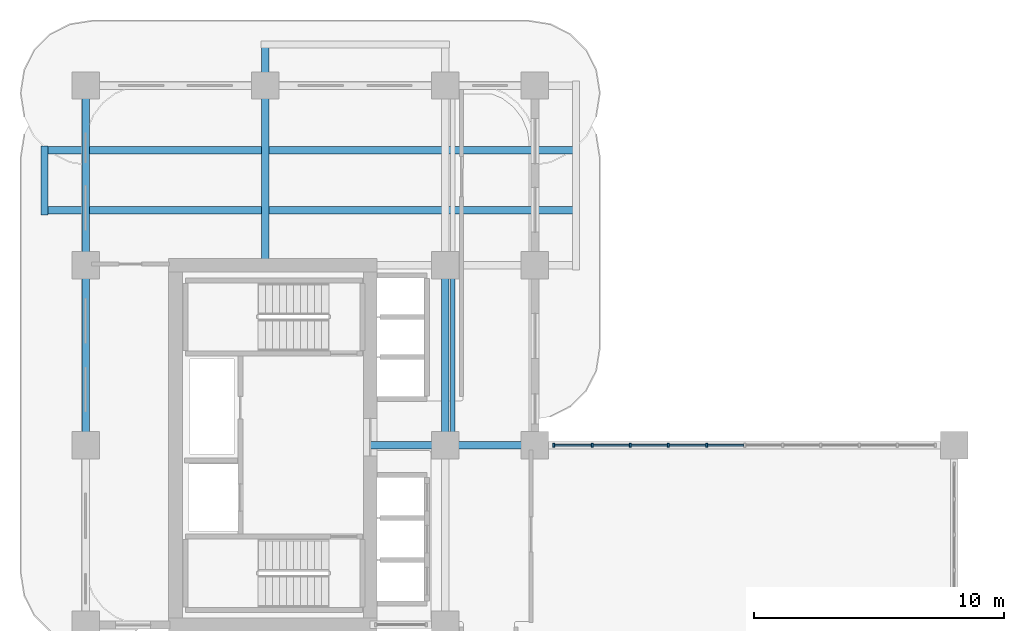
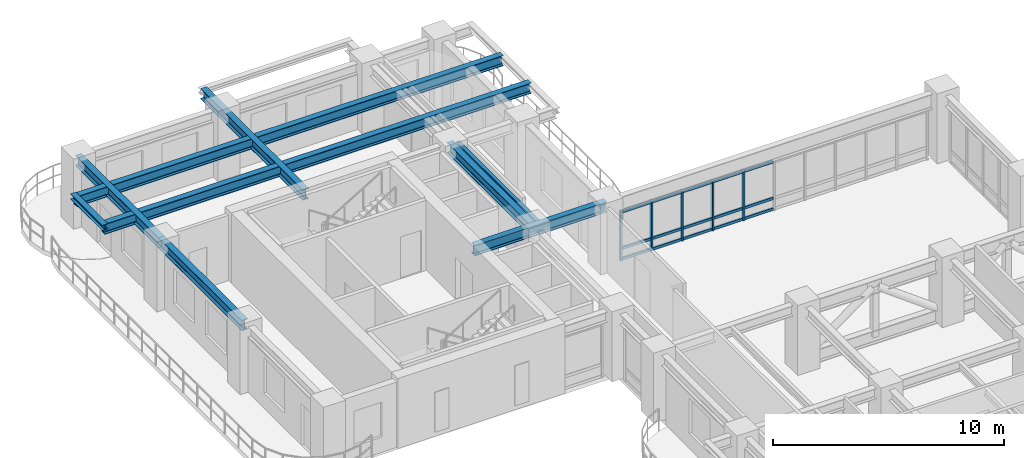
# One storey, part 5 of 21: 20 members, 9 beams, 1 element without a shape of its own.
"""IFC4 building model written with IfcOpenShell, lengths in metres."""

from ifc_helpers import new_model, si_unit, derived_unit, direction, frame, origin, origin_2d, place, context, subcontext, project, spatial, rectangle, i_section, extrude, source, transform, mapped, material, layer, layer_set, material_profile, profile_set, type_object, type_shapes, element, aggregate, save


model = new_model("IFC4")

# Units and contexts
model_context = context("Model", 3, precision=1e-05, world=origin(), true_north=direction((0.0, 1.0)))
body_context = subcontext(model_context, "Body", "Model", "MODEL_VIEW")
ifc_project = project(units=[si_unit("LENGTHUNIT", "METRE"), si_unit("AREAUNIT", "SQUARE_METRE"), si_unit("VOLUMEUNIT", "CUBIC_METRE"), si_unit("PLANEANGLEUNIT", "RADIAN"), si_unit("MASSUNIT", "GRAM", prefix="KILO"), si_unit("THERMODYNAMICTEMPERATUREUNIT", "KELVIN"), si_unit("POWERUNIT", "WATT"), derived_unit("THERMALTRANSMITTANCEUNIT", [(si_unit("POWERUNIT", "WATT"), 1), (si_unit("AREAUNIT", "SQUARE_METRE"), -1), (si_unit("THERMODYNAMICTEMPERATUREUNIT", "KELVIN"), -1)])], contexts=[model_context])

# Site, building, storey
site_placement = place(None, origin())
site = spatial("IfcSite", under=ifc_project, at=site_placement, CompositionType="ELEMENT")
building_placement = place(site_placement, origin())
building = spatial("IfcBuilding", under=site, at=building_placement, Name="Zahravan Archway Hotel and Residences", CompositionType="ELEMENT")
storey_placement = place(building_placement, frame((0.0, 0.0, 69.39990234375)))
storey = spatial("IfcBuildingStorey", under=building, at=storey_placement, Name="L16", CompositionType="ELEMENT", Elevation=69.39990234375)

# Beams
ifc_material_1 = material(Name="Structural Steel S355JR", Category="steel")
ifc_material_profile_1 = material_profile(ifc_material_1, i_section(OverallWidth=0.280029296875, OverallDepth=0.280029296875, WebThickness=0.010498046875, FlangeThickness=0.01806640625, FilletRadius=0.02392578125, at=origin_2d()), Name="HEB 280", Category="steel")
ifc_profile_set_1 = profile_set([ifc_material_profile_1], Name="Structural Steel S355JR")
beam_type_1 = type_object("IfcBeamType", Name="BM-SPN-HEB280", PredefinedType="SPANDREL", material=ifc_profile_set_1)
shared_shape_1 = source(origin(), body_context, "Body", "SweptSolid", [
    extrude(i_section(OverallWidth=0.280029296875, OverallDepth=0.280029296875, WebThickness=0.010498046875, FlangeThickness=0.01806640625, FilletRadius=0.02392578125, at=origin_2d()), origin(), (0.0, 0.0, 1.0), 2.759765625),
])
beam_1_placement = place(storey_placement, frame((-1.64990234375, 41.6201171875, 3.31005859375), z_axis=(0.0, 1.0, 0.0), x_axis=(-1.0, 0.0, 0.0)))
element("IfcBeam", 1, at=beam_1_placement, inside=storey, type_object=beam_type_1, Name="L17 WB Balcony Edge Spandrel", PredefinedType="SPANDREL", context=body_context, shape_type="MappedRepresentation", body=[
    mapped(shared_shape_1, transform((0.0, 0.0, 0.0), scale=1.0)),
])
ifc_material_profile_2 = material_profile(ifc_material_1, i_section(OverallWidth=0.300048828125, OverallDepth=0.550048828125, WebThickness=0.014892578125, FlangeThickness=0.029052734375, FilletRadius=0.027099609375, at=origin_2d()), Name="HEB 550", Category="steel")
ifc_profile_set_2 = profile_set([ifc_material_profile_2], Name="Structural Steel S355JR")
beam_type_2 = type_object("IfcBeamType", Name="BM-PRI-HEB550", PredefinedType="BEAM", material=ifc_profile_set_2)
shared_shape_2 = source(origin(), body_context, "Body", "SweptSolid", [
    extrude(i_section(OverallWidth=0.300048828125, OverallDepth=0.550048828125, WebThickness=0.014892578125, FlangeThickness=0.029052734375, FilletRadius=0.027099609375, at=origin_2d()), origin(), (0.0, 0.0, 1.0), 7.2001953125),
])
type_shapes(beam_type_2, [shared_shape_2])
for number, where, z_axis, x_axis, name in (
    (2, (0.0, 32.39990234375, 3.175048828125), (0.0, 1.0, 0.0), (-1.0, 0.0, 0.0), "L16 Primary Girder NS-27"),
    (3, (14.39990234375, 32.39990234375, 3.175048828125), (0.0, 1.0, 0.0), (-1.0, 0.0, 0.0), "L16 Primary Girder NS-35"),
):
    element("IfcBeam", number, at=place(storey_placement, frame(where, z_axis=z_axis, x_axis=x_axis)), inside=storey, type_object=beam_type_2, Name=name, PredefinedType="BEAM", context=body_context, shape_type="MappedRepresentation", body=[
        mapped(shared_shape_2, transform((0.0, 0.0, 0.0), scale=1.0)),
    ])
shared_shape_3 = source(origin(), body_context, "Body", "SweptSolid", [
    extrude(i_section(OverallWidth=0.300048828125, OverallDepth=0.550048828125, WebThickness=0.014892578125, FlangeThickness=0.029052734375, FilletRadius=0.027099609375, at=origin_2d()), origin(), (0.0, 0.0, 1.0), 7.199951171875),
])
beam_2_placement = place(storey_placement, frame((0.0, 39.60009765625, 3.175048828125), z_axis=(0.0, 1.0, 0.0), x_axis=(-1.0, 0.0, 0.0)))
element("IfcBeam", 4, at=beam_2_placement, inside=storey, type_object=beam_type_2, Name="L16 Primary Girder NS-28", PredefinedType="BEAM", context=body_context, shape_type="MappedRepresentation", body=[
    mapped(shared_shape_3, transform((0.0, 0.0, 0.0), scale=1.0)),
])
shared_shape_4 = source(origin(), body_context, "Body", "SweptSolid", [
    extrude(i_section(OverallWidth=0.300048828125, OverallDepth=0.550048828125, WebThickness=0.014892578125, FlangeThickness=0.029052734375, FilletRadius=0.027099609375, at=origin_2d()), origin(), (0.0, 0.0, 1.0), 6.60009765625),
])
beam_3_placement = place(storey_placement, frame((11.39990234375, 32.39990234375, 3.175048828125), z_axis=(1.0, 0.0, 0.0), x_axis=(0.0, 1.0, 0.0)))
element("IfcBeam", 5, at=beam_3_placement, inside=storey, type_object=beam_type_2, Name="L16 Primary Girder EW-19", PredefinedType="BEAM", context=body_context, shape_type="MappedRepresentation", body=[
    mapped(shared_shape_4, transform((0.0, 0.0, 0.0), scale=1.0)),
])
shared_shape_5 = source(origin(), body_context, "Body", "SweptSolid", [
    extrude(i_section(OverallWidth=0.300048828125, OverallDepth=0.550048828125, WebThickness=0.014892578125, FlangeThickness=0.029052734375, FilletRadius=0.027099609375, at=origin_2d()), origin(), (0.0, 0.0, 1.0), 21.2998046875),
])
for number, where, z_axis, x_axis, name in (
    (6, (-1.64990234375, 41.800048828125, 3.175048828125), (1.0, 0.0, 0.0), (0.0, 1.0, 0.0), "L16 Primary Girder EW-24"),
    (7, (-1.64990234375, 44.199951171875, 3.175048828125), (1.0, 0.0, 0.0), (0.0, 1.0, 0.0), "L16 Primary Girder EW-25"),
):
    element("IfcBeam", number, at=place(storey_placement, frame(where, z_axis=z_axis, x_axis=x_axis)), inside=storey, type_object=beam_type_2, Name=name, PredefinedType="BEAM", context=body_context, shape_type="MappedRepresentation", body=[
        mapped(shared_shape_5, transform((0.0, 0.0, 0.0), scale=1.0)),
    ])
shared_shape_6 = source(origin(), body_context, "Body", "SweptSolid", [
    extrude(i_section(OverallWidth=0.300048828125, OverallDepth=0.550048828125, WebThickness=0.014892578125, FlangeThickness=0.029052734375, FilletRadius=0.027099609375, at=origin_2d()), origin(), (0.0, 0.0, 1.0), 8.849853515625),
])
beam_4_placement = place(storey_placement, frame((7.199951171875, 39.60009765625, 3.175048828125), z_axis=(0.0, 1.0, 0.0), x_axis=(-1.0, 0.0, 0.0)))
element("IfcBeam", 8, at=beam_4_placement, inside=storey, type_object=beam_type_2, Name="L16 Primary Girder NS-29", PredefinedType="BEAM", context=body_context, shape_type="MappedRepresentation", body=[
    mapped(shared_shape_6, transform((0.0, 0.0, 0.0), scale=1.0)),
])
ifc_material_profile_3 = material_profile(ifc_material_1, i_section(OverallWidth=0.179931640625, OverallDepth=0.39990234375, WebThickness=0.008544921875, FlangeThickness=0.013427734375, FilletRadius=0.02099609375, at=origin_2d()), Name="IPE 400", Category="steel")
ifc_profile_set_3 = profile_set([ifc_material_profile_3], Name="Structural Steel S355JR")
beam_type_3 = type_object("IfcBeamType", Name="BM-JST-IPE400", PredefinedType="JOIST", material=ifc_profile_set_3)
shared_shape_7 = source(origin(), body_context, "Body", "SweptSolid", [
    extrude(i_section(OverallWidth=0.179931640625, OverallDepth=0.39990234375, WebThickness=0.008544921875, FlangeThickness=0.013427734375, FilletRadius=0.02099609375, at=origin_2d()), origin(), (0.0, 0.0, 1.0), 6.90380859375),
])
beam_5_placement = place(storey_placement, frame((14.699951171875, 32.548095703125, 3.25), z_axis=(0.0, 1.0, 0.0), x_axis=(-1.0, 0.0, 0.0)))
element("IfcBeam", 9, at=beam_5_placement, inside=storey, type_object=beam_type_3, Name="L16 Composite Floor Joist 11", PredefinedType="JOIST", context=body_context, shape_type="MappedRepresentation", body=[
    mapped(shared_shape_7, transform((0.0, 0.0, 0.0), scale=1.0)),
])

# Curtain wall, members
ifc_material_2 = material(Name="Bronze-Anodized Unitised Aluminium & Low-E Glass", Category="aluminium")
ifc_layer = layer(ifc_material_2, 0.179931640625, Name="Bronze-Anodized Unitised Aluminium & Low-E Glass", Category="aluminium")
ifc_layer_set = layer_set([ifc_layer], Name="Bronze-Anodized Unitised Aluminium & Low-E Glass")
curtain_wall_type = type_object("IfcCurtainWallType", Name="CW-SBG-1", PredefinedType="NOTDEFINED", material=ifc_layer_set)
curtain_wall_placement = place(storey_placement, origin())
curtain_wall = element("IfcCurtainWall", 10, at=curtain_wall_placement, inside=storey, type_object=curtain_wall_type, Name="L16 Curtain Wall CW-L16-HNG-N-1", PredefinedType="NOTDEFINED")
ifc_material_3 = material(Name="Bronze-Anodized Extruded Aluminium", Category="aluminium")
ifc_material_profile_4 = material_profile(ifc_material_3, rectangle(XDim=0.080078125, YDim=0.159912109375, at=origin_2d()), Name="MUL 80x160", Category="aluminium")
ifc_profile_set_4 = profile_set([ifc_material_profile_4], Name="Bronze-Anodized Extruded Aluminium")
member_type_1 = type_object("IfcMemberType", Name="CWM-MUL-160", PredefinedType="MULLION", material=ifc_profile_set_4)
shared_shape_8 = source(origin(), body_context, "Body", "SweptSolid", [
    extrude(rectangle(XDim=0.080078125, YDim=0.159912109375, at=origin_2d()), origin(), (0.0, 0.0, 1.0), 2.635009765625),
])
member_1_placement = place(storey_placement, frame((18.760009765625, 32.39990234375, 0.0), z_axis=(0.0, 0.0, 1.0), x_axis=(1.0, 0.0, 0.0)))
member_1 = element("IfcMember", 11, at=member_1_placement, type_object=member_type_1, Name="CW-L16-HNG-N-1 Mullion 0", PredefinedType="MULLION", context=body_context, shape_type="MappedRepresentation", body=[
    mapped(shared_shape_8, transform((0.0, 0.0, 0.0), scale=1.0)),
])
member_2_placement = place(storey_placement, frame((20.2880859375, 32.39990234375, 0.0), z_axis=(0.0, 0.0, 1.0), x_axis=(1.0, 0.0, 0.0)))
member_2 = element("IfcMember", 12, at=member_2_placement, type_object=member_type_1, Name="CW-L16-HNG-N-1 Mullion 1", PredefinedType="MULLION", context=body_context, shape_type="MappedRepresentation", body=[
    mapped(shared_shape_8, transform((0.0, 0.0, 0.0), scale=1.0)),
])
member_3_placement = place(storey_placement, frame((21.81591796875, 32.39990234375, 0.0), z_axis=(0.0, 0.0, 1.0), x_axis=(1.0, 0.0, 0.0)))
member_3 = element("IfcMember", 13, at=member_3_placement, type_object=member_type_1, Name="CW-L16-HNG-N-1 Mullion 2", PredefinedType="MULLION", context=body_context, shape_type="MappedRepresentation", body=[
    mapped(shared_shape_8, transform((0.0, 0.0, 0.0), scale=1.0)),
])
member_4_placement = place(storey_placement, frame((23.343994140625, 32.39990234375, 0.0), z_axis=(0.0, 0.0, 1.0), x_axis=(1.0, 0.0, 0.0)))
member_4 = element("IfcMember", 14, at=member_4_placement, type_object=member_type_1, Name="CW-L16-HNG-N-1 Mullion 3", PredefinedType="MULLION", context=body_context, shape_type="MappedRepresentation", body=[
    mapped(shared_shape_8, transform((0.0, 0.0, 0.0), scale=1.0)),
])
member_5_placement = place(storey_placement, frame((24.8720703125, 32.39990234375, 0.0), z_axis=(0.0, 0.0, 1.0), x_axis=(1.0, 0.0, 0.0)))
member_5 = element("IfcMember", 15, at=member_5_placement, type_object=member_type_1, Name="CW-L16-HNG-N-1 Mullion 4", PredefinedType="MULLION", context=body_context, shape_type="MappedRepresentation", body=[
    mapped(shared_shape_8, transform((0.0, 0.0, 0.0), scale=1.0)),
])
ifc_material_profile_5 = material_profile(ifc_material_3, rectangle(XDim=0.080078125, YDim=0.139892578125, at=origin_2d()), Name="TRN 80x140", Category="aluminium")
ifc_profile_set_5 = profile_set([ifc_material_profile_5], Name="Bronze-Anodized Extruded Aluminium")
member_type_2 = type_object("IfcMemberType", Name="CWM-TRN-140", PredefinedType="USERDEFINED", material=ifc_profile_set_5)
shared_shape_9 = source(origin(), body_context, "Body", "SweptSolid", [
    extrude(rectangle(XDim=0.080078125, YDim=0.139892578125, at=origin_2d()), origin(), (0.0, 0.0, 1.0), 1.447998046875),
])
member_6_placement = place(storey_placement, frame((18.800048828125, 32.39990234375, 0.070068359375), z_axis=(1.0, 0.0, 0.0), x_axis=(0.0, 1.0, 0.0)))
member_6 = element("IfcMember", 16, at=member_6_placement, type_object=member_type_2, Name="CW-L16-HNG-N-1 Transom 0-1", ObjectType="TRANSOM", PredefinedType="USERDEFINED", context=body_context, shape_type="MappedRepresentation", body=[
    mapped(shared_shape_9, transform((0.0, 0.0, 0.0), scale=1.0)),
])
member_7_placement = place(storey_placement, frame((18.800048828125, 32.39990234375, 0.632568359375), z_axis=(1.0, 0.0, 0.0), x_axis=(0.0, 1.0, 0.0)))
member_7 = element("IfcMember", 17, at=member_7_placement, type_object=member_type_2, Name="CW-L16-HNG-N-1 Transom 0-2", ObjectType="TRANSOM", PredefinedType="USERDEFINED", context=body_context, shape_type="MappedRepresentation", body=[
    mapped(shared_shape_9, transform((0.0, 0.0, 0.0), scale=1.0)),
])
member_8_placement = place(storey_placement, frame((18.800048828125, 32.39990234375, 2.565185546875), z_axis=(1.0, 0.0, 0.0), x_axis=(0.0, 1.0, 0.0)))
member_8 = element("IfcMember", 18, at=member_8_placement, type_object=member_type_2, Name="CW-L16-HNG-N-1 Transom 0-3", ObjectType="TRANSOM", PredefinedType="USERDEFINED", context=body_context, shape_type="MappedRepresentation", body=[
    mapped(shared_shape_9, transform((0.0, 0.0, 0.0), scale=1.0)),
])
member_9_placement = place(storey_placement, frame((20.327880859375, 32.39990234375, 0.070068359375), z_axis=(1.0, 0.0, 0.0), x_axis=(0.0, 1.0, 0.0)))
member_9 = element("IfcMember", 19, at=member_9_placement, type_object=member_type_2, Name="CW-L16-HNG-N-1 Transom 1-1", ObjectType="TRANSOM", PredefinedType="USERDEFINED", context=body_context, shape_type="MappedRepresentation", body=[
    mapped(shared_shape_9, transform((0.0, 0.0, 0.0), scale=1.0)),
])
member_10_placement = place(storey_placement, frame((20.327880859375, 32.39990234375, 0.632568359375), z_axis=(1.0, 0.0, 0.0), x_axis=(0.0, 1.0, 0.0)))
member_10 = element("IfcMember", 20, at=member_10_placement, type_object=member_type_2, Name="CW-L16-HNG-N-1 Transom 1-2", ObjectType="TRANSOM", PredefinedType="USERDEFINED", context=body_context, shape_type="MappedRepresentation", body=[
    mapped(shared_shape_9, transform((0.0, 0.0, 0.0), scale=1.0)),
])
member_11_placement = place(storey_placement, frame((20.327880859375, 32.39990234375, 2.565185546875), z_axis=(1.0, 0.0, 0.0), x_axis=(0.0, 1.0, 0.0)))
member_11 = element("IfcMember", 21, at=member_11_placement, type_object=member_type_2, Name="CW-L16-HNG-N-1 Transom 1-3", ObjectType="TRANSOM", PredefinedType="USERDEFINED", context=body_context, shape_type="MappedRepresentation", body=[
    mapped(shared_shape_9, transform((0.0, 0.0, 0.0), scale=1.0)),
])
member_12_placement = place(storey_placement, frame((21.85595703125, 32.39990234375, 0.070068359375), z_axis=(1.0, 0.0, 0.0), x_axis=(0.0, 1.0, 0.0)))
member_12 = element("IfcMember", 22, at=member_12_placement, type_object=member_type_2, Name="CW-L16-HNG-N-1 Transom 2-1", ObjectType="TRANSOM", PredefinedType="USERDEFINED", context=body_context, shape_type="MappedRepresentation", body=[
    mapped(shared_shape_9, transform((0.0, 0.0, 0.0), scale=1.0)),
])
member_13_placement = place(storey_placement, frame((21.85595703125, 32.39990234375, 0.632568359375), z_axis=(1.0, 0.0, 0.0), x_axis=(0.0, 1.0, 0.0)))
member_13 = element("IfcMember", 23, at=member_13_placement, type_object=member_type_2, Name="CW-L16-HNG-N-1 Transom 2-2", ObjectType="TRANSOM", PredefinedType="USERDEFINED", context=body_context, shape_type="MappedRepresentation", body=[
    mapped(shared_shape_9, transform((0.0, 0.0, 0.0), scale=1.0)),
])
member_14_placement = place(storey_placement, frame((21.85595703125, 32.39990234375, 2.565185546875), z_axis=(1.0, 0.0, 0.0), x_axis=(0.0, 1.0, 0.0)))
member_14 = element("IfcMember", 24, at=member_14_placement, type_object=member_type_2, Name="CW-L16-HNG-N-1 Transom 2-3", ObjectType="TRANSOM", PredefinedType="USERDEFINED", context=body_context, shape_type="MappedRepresentation", body=[
    mapped(shared_shape_9, transform((0.0, 0.0, 0.0), scale=1.0)),
])
member_15_placement = place(storey_placement, frame((23.384033203125, 32.39990234375, 0.070068359375), z_axis=(1.0, 0.0, 0.0), x_axis=(0.0, 1.0, 0.0)))
member_15 = element("IfcMember", 25, at=member_15_placement, type_object=member_type_2, Name="CW-L16-HNG-N-1 Transom 3-1", ObjectType="TRANSOM", PredefinedType="USERDEFINED", context=body_context, shape_type="MappedRepresentation", body=[
    mapped(shared_shape_9, transform((0.0, 0.0, 0.0), scale=1.0)),
])
member_16_placement = place(storey_placement, frame((23.384033203125, 32.39990234375, 0.632568359375), z_axis=(1.0, 0.0, 0.0), x_axis=(0.0, 1.0, 0.0)))
member_16 = element("IfcMember", 26, at=member_16_placement, type_object=member_type_2, Name="CW-L16-HNG-N-1 Transom 3-2", ObjectType="TRANSOM", PredefinedType="USERDEFINED", context=body_context, shape_type="MappedRepresentation", body=[
    mapped(shared_shape_9, transform((0.0, 0.0, 0.0), scale=1.0)),
])
member_17_placement = place(storey_placement, frame((23.384033203125, 32.39990234375, 2.565185546875), z_axis=(1.0, 0.0, 0.0), x_axis=(0.0, 1.0, 0.0)))
member_17 = element("IfcMember", 27, at=member_17_placement, type_object=member_type_2, Name="CW-L16-HNG-N-1 Transom 3-3", ObjectType="TRANSOM", PredefinedType="USERDEFINED", context=body_context, shape_type="MappedRepresentation", body=[
    mapped(shared_shape_9, transform((0.0, 0.0, 0.0), scale=1.0)),
])
member_18_placement = place(storey_placement, frame((24.912109375, 32.39990234375, 0.070068359375), z_axis=(1.0, 0.0, 0.0), x_axis=(0.0, 1.0, 0.0)))
member_18 = element("IfcMember", 28, at=member_18_placement, type_object=member_type_2, Name="CW-L16-HNG-N-1 Transom 4-1", ObjectType="TRANSOM", PredefinedType="USERDEFINED", context=body_context, shape_type="MappedRepresentation", body=[
    mapped(shared_shape_9, transform((0.0, 0.0, 0.0), scale=1.0)),
])
member_19_placement = place(storey_placement, frame((24.912109375, 32.39990234375, 0.632568359375), z_axis=(1.0, 0.0, 0.0), x_axis=(0.0, 1.0, 0.0)))
member_19 = element("IfcMember", 29, at=member_19_placement, type_object=member_type_2, Name="CW-L16-HNG-N-1 Transom 4-2", ObjectType="TRANSOM", PredefinedType="USERDEFINED", context=body_context, shape_type="MappedRepresentation", body=[
    mapped(shared_shape_9, transform((0.0, 0.0, 0.0), scale=1.0)),
])
member_20_placement = place(storey_placement, frame((24.912109375, 32.39990234375, 2.565185546875), z_axis=(1.0, 0.0, 0.0), x_axis=(0.0, 1.0, 0.0)))
member_20 = element("IfcMember", 30, at=member_20_placement, type_object=member_type_2, Name="CW-L16-HNG-N-1 Transom 4-3", ObjectType="TRANSOM", PredefinedType="USERDEFINED", context=body_context, shape_type="MappedRepresentation", body=[
    mapped(shared_shape_9, transform((0.0, 0.0, 0.0), scale=1.0)),
])
aggregate(curtain_wall, [member_1, member_2, member_3, member_4, member_5, member_6, member_7, member_8, member_9, member_10, member_11, member_12, member_13, member_14, member_15, member_16, member_17, member_18, member_19, member_20])

save(model, "model.ifc")
